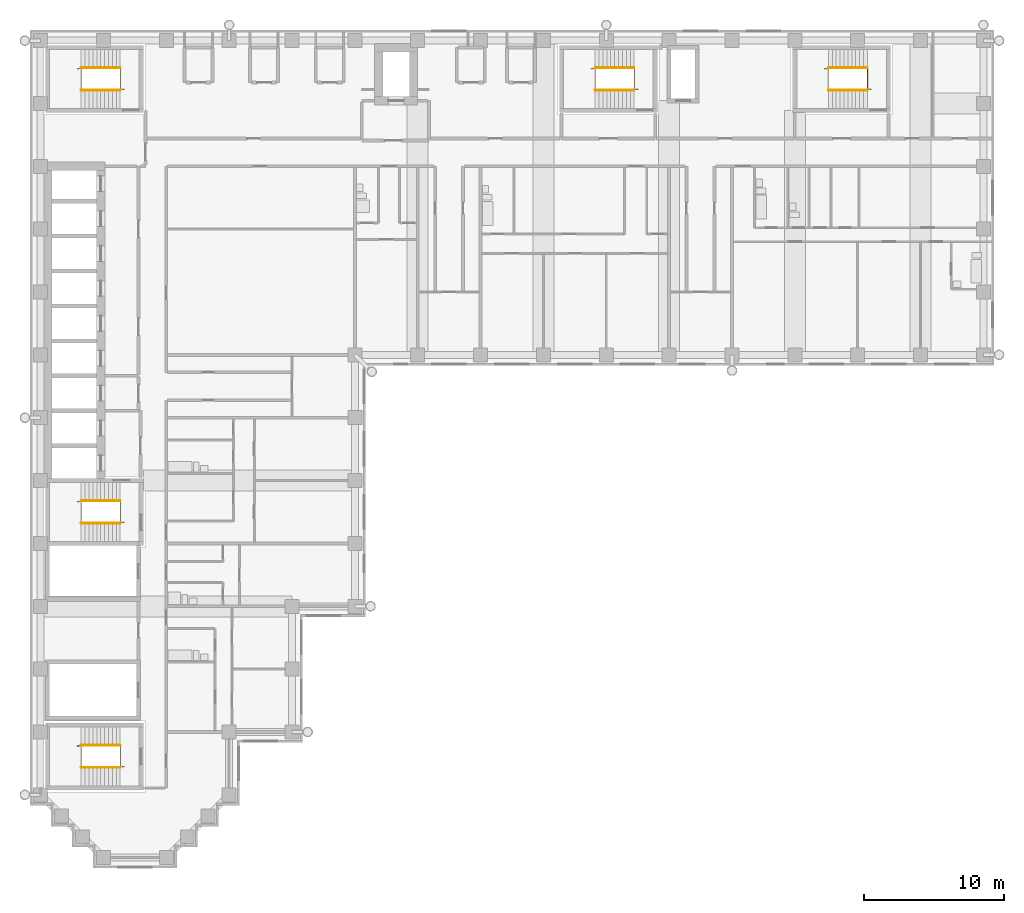
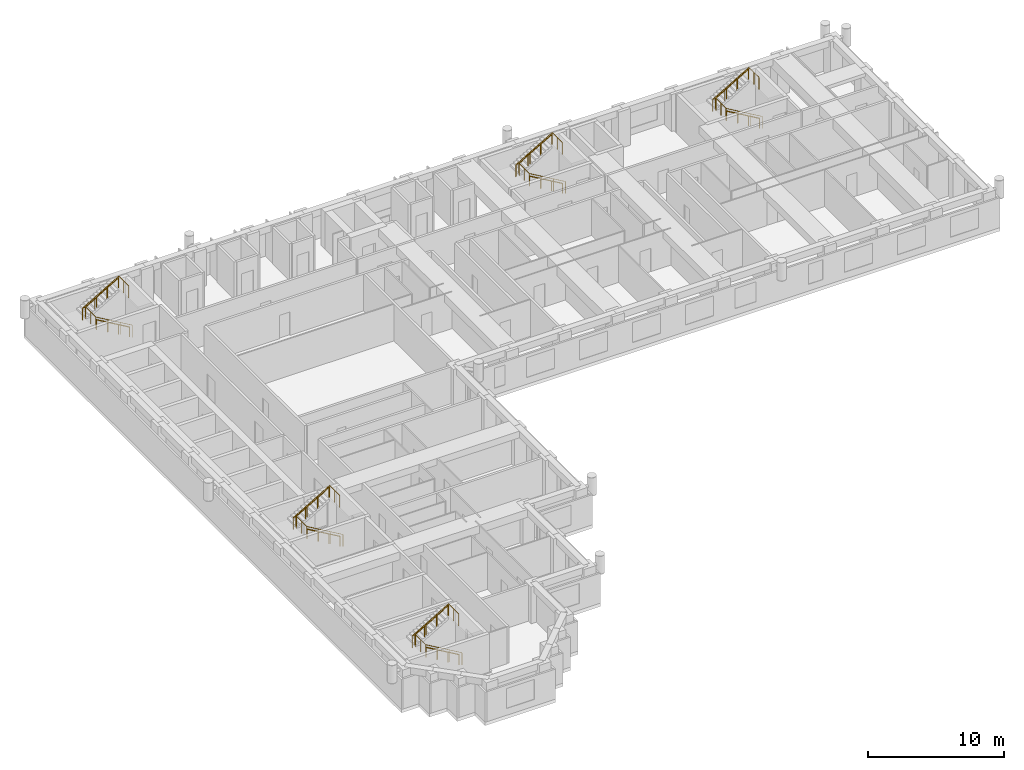
# One storey, part 14 of 15: 15 railings.
"""IFC4 building model written with IfcOpenShell, lengths in metres."""

from ifc_helpers import new_model, si_unit, direction, frame, origin, origin_2d, place, context, subcontext, project, spatial, circle, extrude, material, type_object, element, save


model = new_model("IFC4")

# Units and contexts
model_context = context("Model", 3, precision=1e-05, world=origin(), true_north=direction((0.0, 1.0)))
body_context = subcontext(model_context, "Body", "Model", "MODEL_VIEW")
ifc_project = project(units=[si_unit("LENGTHUNIT", "METRE"), si_unit("AREAUNIT", "SQUARE_METRE"), si_unit("VOLUMEUNIT", "CUBIC_METRE"), si_unit("PLANEANGLEUNIT", "RADIAN"), si_unit("MASSUNIT", "GRAM", prefix="KILO")], contexts=[model_context])

# Site, building, storey
site_placement = place(None, origin())
site = spatial("IfcSite", under=ifc_project, at=site_placement, CompositionType="ELEMENT")
building_placement = place(site_placement, origin())
building = spatial("IfcBuilding", under=site, at=building_placement, Name="Firuza Court", CompositionType="ELEMENT")
storey_placement = place(building_placement, frame((0.0, 0.0, 137.60009765625)))
storey = spatial("IfcBuildingStorey", under=building, at=storey_placement, Name="L34", CompositionType="ELEMENT", Elevation=137.60009765625)

# Railings
ifc_material_1 = material(Name="Steel S355", Category="steel")
railing_type_1 = type_object("IfcRailingType", Name="Handrail 900", PredefinedType="HANDRAIL", material=ifc_material_1)
railing_1_placement = place(storey_placement, frame((42.5, 54.949951171875, 0.16357421875)))
element("IfcRailing", 1, at=railing_1_placement, inside=storey, type_object=railing_type_1, Name="Handrail S1 flight 1", PredefinedType="HANDRAIL", context=body_context, shape_type="SweptSolid", body=[
    extrude(circle(Radius=0.02490234375, at=origin_2d()), frame((0.0, 0.0, 0.875), z_axis=(-0.863393664356, 0.0, 0.504530851732), x_axis=(0.0, -1.0, 0.0)), (0.0, 0.0, 1.0), 3.2431640625),
    extrude(circle(Radius=0.02001953125, at=origin_2d()), origin(), (0.0, 0.0, 1.0), 0.849853515625),
    extrude(circle(Radius=0.02001953125, at=origin_2d()), frame((-0.933349609375, 0.0, 0.54541015625)), (0.0, 0.0, 1.0), 0.849853515625),
    extrude(circle(Radius=0.02001953125, at=origin_2d()), frame((-1.86669921875, 0.0, 1.0908203125)), (0.0, 0.0, 1.0), 0.849853515625),
    extrude(circle(Radius=0.02001953125, at=origin_2d()), frame((-2.800048828125, 0.0, 1.63623046875)), (0.0, 0.0, 1.0), 0.849853515625),
])
railing_2_placement = place(storey_placement, frame((39.699951171875, 56.550048828125, 1.963623046875)))
element("IfcRailing", 2, at=railing_2_placement, inside=storey, type_object=railing_type_1, Name="Handrail S1 flight 2", PredefinedType="HANDRAIL", context=body_context, shape_type="SweptSolid", body=[
    extrude(circle(Radius=0.02490234375, at=origin_2d()), frame((0.0, 0.0, 0.875), z_axis=(0.863393664356, 0.0, 0.504530851732), x_axis=(0.0, 1.0, 0.0)), (0.0, 0.0, 1.0), 3.2431640625),
    extrude(circle(Radius=0.02001953125, at=origin_2d()), origin(), (0.0, 0.0, 1.0), 0.849853515625),
    extrude(circle(Radius=0.02001953125, at=origin_2d()), frame((0.933349609375, 0.0, 0.54541015625)), (0.0, 0.0, 1.0), 0.849853515625),
    extrude(circle(Radius=0.02001953125, at=origin_2d()), frame((1.86669921875, 0.0, 1.0908203125)), (0.0, 0.0, 1.0), 0.849853515625),
    extrude(circle(Radius=0.02001953125, at=origin_2d()), frame((2.800048828125, 0.0, 1.63623046875)), (0.0, 0.0, 1.0), 0.849853515625),
])
railing_3_placement = place(storey_placement, frame((5.699951171875, 23.949951171875, 0.16357421875)))
element("IfcRailing", 3, at=railing_3_placement, inside=storey, type_object=railing_type_1, Name="Handrail S2 flight 1", PredefinedType="HANDRAIL", context=body_context, shape_type="SweptSolid", body=[
    extrude(circle(Radius=0.02490234375, at=origin_2d()), frame((0.0, 0.0, 0.875), z_axis=(-0.863393664356, 0.0, 0.504530851732), x_axis=(0.0, -1.0, 0.0)), (0.0, 0.0, 1.0), 3.2431640625),
    extrude(circle(Radius=0.02001953125, at=origin_2d()), origin(), (0.0, 0.0, 1.0), 0.849853515625),
    extrude(circle(Radius=0.02001953125, at=origin_2d()), frame((-0.933349609375, 0.0, 0.54541015625)), (0.0, 0.0, 1.0), 0.849853515625),
    extrude(circle(Radius=0.02001953125, at=origin_2d()), frame((-1.86669921875, 0.0, 1.0908203125)), (0.0, 0.0, 1.0), 0.849853515625),
    extrude(circle(Radius=0.02001953125, at=origin_2d()), frame((-2.800048828125, 0.0, 1.63623046875)), (0.0, 0.0, 1.0), 0.849853515625),
])
railing_4_placement = place(storey_placement, frame((2.89990234375, 25.550048828125, 1.963623046875)))
element("IfcRailing", 4, at=railing_4_placement, inside=storey, type_object=railing_type_1, Name="Handrail S2 flight 2", PredefinedType="HANDRAIL", context=body_context, shape_type="SweptSolid", body=[
    extrude(circle(Radius=0.02490234375, at=origin_2d()), frame((0.0, 0.0, 0.875), z_axis=(0.863393664356, 0.0, 0.504530851732), x_axis=(0.0, 1.0, 0.0)), (0.0, 0.0, 1.0), 3.2431640625),
    extrude(circle(Radius=0.02001953125, at=origin_2d()), origin(), (0.0, 0.0, 1.0), 0.849853515625),
    extrude(circle(Radius=0.02001953125, at=origin_2d()), frame((0.933349609375, 0.0, 0.54541015625)), (0.0, 0.0, 1.0), 0.849853515625),
    extrude(circle(Radius=0.02001953125, at=origin_2d()), frame((1.86669921875, 0.0, 1.0908203125)), (0.0, 0.0, 1.0), 0.849853515625),
    extrude(circle(Radius=0.02001953125, at=origin_2d()), frame((2.800048828125, 0.0, 1.63623046875)), (0.0, 0.0, 1.0), 0.849853515625),
])
railing_5_placement = place(storey_placement, frame((5.699951171875, 54.949951171875, 0.16357421875)))
element("IfcRailing", 5, at=railing_5_placement, inside=storey, type_object=railing_type_1, Name="Handrail S3 flight 1", PredefinedType="HANDRAIL", context=body_context, shape_type="SweptSolid", body=[
    extrude(circle(Radius=0.02490234375, at=origin_2d()), frame((0.0, 0.0, 0.875), z_axis=(-0.863393664356, 0.0, 0.504530851732), x_axis=(0.0, -1.0, 0.0)), (0.0, 0.0, 1.0), 3.2431640625),
    extrude(circle(Radius=0.02001953125, at=origin_2d()), origin(), (0.0, 0.0, 1.0), 0.849853515625),
    extrude(circle(Radius=0.02001953125, at=origin_2d()), frame((-0.933349609375, 0.0, 0.54541015625)), (0.0, 0.0, 1.0), 0.849853515625),
    extrude(circle(Radius=0.02001953125, at=origin_2d()), frame((-1.86669921875, 0.0, 1.0908203125)), (0.0, 0.0, 1.0), 0.849853515625),
    extrude(circle(Radius=0.02001953125, at=origin_2d()), frame((-2.800048828125, 0.0, 1.63623046875)), (0.0, 0.0, 1.0), 0.849853515625),
])
railing_6_placement = place(storey_placement, frame((2.89990234375, 56.550048828125, 1.963623046875)))
element("IfcRailing", 6, at=railing_6_placement, inside=storey, type_object=railing_type_1, Name="Handrail S3 flight 2", PredefinedType="HANDRAIL", context=body_context, shape_type="SweptSolid", body=[
    extrude(circle(Radius=0.02490234375, at=origin_2d()), frame((0.0, 0.0, 0.875), z_axis=(0.863393664356, 0.0, 0.504530851732), x_axis=(0.0, 1.0, 0.0)), (0.0, 0.0, 1.0), 3.2431640625),
    extrude(circle(Radius=0.02001953125, at=origin_2d()), origin(), (0.0, 0.0, 1.0), 0.849853515625),
    extrude(circle(Radius=0.02001953125, at=origin_2d()), frame((0.933349609375, 0.0, 0.54541015625)), (0.0, 0.0, 1.0), 0.849853515625),
    extrude(circle(Radius=0.02001953125, at=origin_2d()), frame((1.86669921875, 0.0, 1.0908203125)), (0.0, 0.0, 1.0), 0.849853515625),
    extrude(circle(Radius=0.02001953125, at=origin_2d()), frame((2.800048828125, 0.0, 1.63623046875)), (0.0, 0.0, 1.0), 0.849853515625),
])
railing_7_placement = place(storey_placement, frame((59.199951171875, 54.949951171875, 0.16357421875)))
element("IfcRailing", 7, at=railing_7_placement, inside=storey, type_object=railing_type_1, Name="Handrail S4 flight 1", PredefinedType="HANDRAIL", context=body_context, shape_type="SweptSolid", body=[
    extrude(circle(Radius=0.02490234375, at=origin_2d()), frame((0.0, 0.0, 0.875), z_axis=(-0.863393664356, 0.0, 0.504530851732), x_axis=(0.0, -1.0, 0.0)), (0.0, 0.0, 1.0), 3.2431640625),
    extrude(circle(Radius=0.02001953125, at=origin_2d()), origin(), (0.0, 0.0, 1.0), 0.849853515625),
    extrude(circle(Radius=0.02001953125, at=origin_2d()), frame((-0.933349609375, 0.0, 0.54541015625)), (0.0, 0.0, 1.0), 0.849853515625),
    extrude(circle(Radius=0.02001953125, at=origin_2d()), frame((-1.86669921875, 0.0, 1.0908203125)), (0.0, 0.0, 1.0), 0.849853515625),
    extrude(circle(Radius=0.02001953125, at=origin_2d()), frame((-2.800048828125, 0.0, 1.63623046875)), (0.0, 0.0, 1.0), 0.849853515625),
])
railing_8_placement = place(storey_placement, frame((56.39990234375, 56.550048828125, 1.963623046875)))
element("IfcRailing", 8, at=railing_8_placement, inside=storey, type_object=railing_type_1, Name="Handrail S4 flight 2", PredefinedType="HANDRAIL", context=body_context, shape_type="SweptSolid", body=[
    extrude(circle(Radius=0.02490234375, at=origin_2d()), frame((0.0, 0.0, 0.875), z_axis=(0.863393664356, 0.0, 0.504530851732), x_axis=(0.0, 1.0, 0.0)), (0.0, 0.0, 1.0), 3.2431640625),
    extrude(circle(Radius=0.02001953125, at=origin_2d()), origin(), (0.0, 0.0, 1.0), 0.849853515625),
    extrude(circle(Radius=0.02001953125, at=origin_2d()), frame((0.933349609375, 0.0, 0.54541015625)), (0.0, 0.0, 1.0), 0.849853515625),
    extrude(circle(Radius=0.02001953125, at=origin_2d()), frame((1.86669921875, 0.0, 1.0908203125)), (0.0, 0.0, 1.0), 0.849853515625),
    extrude(circle(Radius=0.02001953125, at=origin_2d()), frame((2.800048828125, 0.0, 1.63623046875)), (0.0, 0.0, 1.0), 0.849853515625),
])
railing_9_placement = place(storey_placement, frame((5.699951171875, 6.449951171875, 0.16357421875)))
element("IfcRailing", 9, at=railing_9_placement, inside=storey, type_object=railing_type_1, Name="Handrail S5 flight 1", PredefinedType="HANDRAIL", context=body_context, shape_type="SweptSolid", body=[
    extrude(circle(Radius=0.02490234375, at=origin_2d()), frame((0.0, 0.0, 0.875), z_axis=(-0.863393664356, 0.0, 0.504530851732), x_axis=(0.0, -1.0, 0.0)), (0.0, 0.0, 1.0), 3.2431640625),
    extrude(circle(Radius=0.02001953125, at=origin_2d()), origin(), (0.0, 0.0, 1.0), 0.849853515625),
    extrude(circle(Radius=0.02001953125, at=origin_2d()), frame((-0.933349609375, 0.0, 0.54541015625)), (0.0, 0.0, 1.0), 0.849853515625),
    extrude(circle(Radius=0.02001953125, at=origin_2d()), frame((-1.86669921875, 0.0, 1.0908203125)), (0.0, 0.0, 1.0), 0.849853515625),
    extrude(circle(Radius=0.02001953125, at=origin_2d()), frame((-2.800048828125, 0.0, 1.63623046875)), (0.0, 0.0, 1.0), 0.849853515625),
])
railing_10_placement = place(storey_placement, frame((2.89990234375, 8.050048828125, 1.963623046875)))
element("IfcRailing", 10, at=railing_10_placement, inside=storey, type_object=railing_type_1, Name="Handrail S5 flight 2", PredefinedType="HANDRAIL", context=body_context, shape_type="SweptSolid", body=[
    extrude(circle(Radius=0.02490234375, at=origin_2d()), frame((0.0, 0.0, 0.875), z_axis=(0.863393664356, 0.0, 0.504530851732), x_axis=(0.0, 1.0, 0.0)), (0.0, 0.0, 1.0), 3.2431640625),
    extrude(circle(Radius=0.02001953125, at=origin_2d()), origin(), (0.0, 0.0, 1.0), 0.849853515625),
    extrude(circle(Radius=0.02001953125, at=origin_2d()), frame((0.933349609375, 0.0, 0.54541015625)), (0.0, 0.0, 1.0), 0.849853515625),
    extrude(circle(Radius=0.02001953125, at=origin_2d()), frame((1.86669921875, 0.0, 1.0908203125)), (0.0, 0.0, 1.0), 0.849853515625),
    extrude(circle(Radius=0.02001953125, at=origin_2d()), frame((2.800048828125, 0.0, 1.63623046875)), (0.0, 0.0, 1.0), 0.849853515625),
])
ifc_material_2 = material(Name="Steel S355", Category="steel")
railing_type_2 = type_object("IfcRailingType", Name="Stair guard 1100", PredefinedType="GUARDRAIL", material=ifc_material_2)
railing_11_placement = place(storey_placement, frame((42.780029296875, 55.010009765625, 0.0)))
element("IfcRailing", 11, at=railing_11_placement, inside=storey, type_object=railing_type_2, Name="Stair well guard S1", PredefinedType="GUARDRAIL", context=body_context, shape_type="SweptSolid", body=[
    extrude(circle(Radius=0.02490234375, at=origin_2d()), frame((0.0, 0.0, 1.0751953125), z_axis=(-0.863401368682, 0.0, 0.504517667242), x_axis=(0.0, -1.0, 0.0)), (0.0, 0.0, 1.0), 3.5673828125),
    extrude(circle(Radius=0.02490234375, at=origin_2d()), frame((-3.080078125, 0.0, 2.875), z_axis=(0.0, 1.0, 0.0), x_axis=(-1.0, 0.0, 0.0)), (0.0, 0.0, 1.0), 1.47998046875),
    extrude(circle(Radius=0.02490234375, at=origin_2d()), frame((-3.080078125, 1.47998046875, 2.875), z_axis=(-1.0, 0.0, 0.0), x_axis=(0.0, -1.0, 0.0)), (0.0, 0.0, 1.0), 0.280029296875),
    extrude(circle(Radius=0.02490234375, at=origin_2d()), frame((-3.360107421875, 1.47998046875, 2.875), z_axis=(0.863371556955, 0.0, 0.504568681787), x_axis=(0.0, 1.0, 0.0)), (0.0, 0.0, 1.0), 3.5673828125),
    extrude(circle(Radius=0.02490234375, at=origin_2d()), frame((-0.280029296875, 1.47998046875, 4.6748046875), z_axis=(0.0, -1.0, 0.0), x_axis=(1.0, 0.0, 0.0)), (0.0, 0.0, 1.0), 1.47998046875),
    extrude(circle(Radius=0.02490234375, at=origin_2d()), origin(), (0.0, 0.0, 1.0), 1.050048828125),
    extrude(circle(Radius=0.02490234375, at=origin_2d()), frame((-1.026611328125, 0.0, 0.599853515625)), (0.0, 0.0, 1.0), 1.050048828125),
    extrude(circle(Radius=0.02490234375, at=origin_2d()), frame((-2.053466796875, 0.0, 1.199951171875)), (0.0, 0.0, 1.0), 1.050048828125),
    extrude(circle(Radius=0.02490234375, at=origin_2d()), frame((-3.080078125, 0.0, 1.7998046875)), (0.0, 0.0, 1.0), 1.050048828125),
    extrude(circle(Radius=0.02490234375, at=origin_2d()), frame((-3.080078125, 0.739990234375, 1.7998046875)), (0.0, 0.0, 1.0), 1.050048828125),
    extrude(circle(Radius=0.02490234375, at=origin_2d()), frame((-3.080078125, 1.47998046875, 1.7998046875)), (0.0, 0.0, 1.0), 1.050048828125),
    extrude(circle(Radius=0.02490234375, at=origin_2d()), frame((-3.360107421875, 1.47998046875, 1.7998046875)), (0.0, 0.0, 1.0), 1.050048828125),
    extrude(circle(Radius=0.02490234375, at=origin_2d()), frame((-2.33349609375, 1.47998046875, 2.39990234375)), (0.0, 0.0, 1.0), 1.050048828125),
    extrude(circle(Radius=0.02490234375, at=origin_2d()), frame((-1.306640625, 1.47998046875, 2.999755859375)), (0.0, 0.0, 1.0), 1.050048828125),
    extrude(circle(Radius=0.02490234375, at=origin_2d()), frame((-0.280029296875, 1.47998046875, 3.599853515625)), (0.0, 0.0, 1.0), 1.050048828125),
    extrude(circle(Radius=0.02490234375, at=origin_2d()), frame((-0.280029296875, 0.739990234375, 3.599853515625)), (0.0, 0.0, 1.0), 1.050048828125),
    extrude(circle(Radius=0.02490234375, at=origin_2d()), frame((-0.280029296875, 0.0, 3.599853515625)), (0.0, 0.0, 1.0), 1.050048828125),
])
railing_12_placement = place(storey_placement, frame((5.97998046875, 24.010009765625, 0.0)))
element("IfcRailing", 12, at=railing_12_placement, inside=storey, type_object=railing_type_2, Name="Stair well guard S2", PredefinedType="GUARDRAIL", context=body_context, shape_type="SweptSolid", body=[
    extrude(circle(Radius=0.02490234375, at=origin_2d()), frame((0.0, 0.0, 1.0751953125), z_axis=(-0.863401368682, 0.0, 0.504517667242), x_axis=(0.0, -1.0, 0.0)), (0.0, 0.0, 1.0), 3.5673828125),
    extrude(circle(Radius=0.02490234375, at=origin_2d()), frame((-3.080078125, 0.0, 2.875), z_axis=(0.0, 1.0, 0.0), x_axis=(-1.0, 0.0, 0.0)), (0.0, 0.0, 1.0), 1.47998046875),
    extrude(circle(Radius=0.02490234375, at=origin_2d()), frame((-3.080078125, 1.47998046875, 2.875), z_axis=(-1.0, 0.0, 0.0), x_axis=(0.0, -1.0, 0.0)), (0.0, 0.0, 1.0), 0.27978515625),
    extrude(circle(Radius=0.02490234375, at=origin_2d()), frame((-3.35986328125, 1.47998046875, 2.875), z_axis=(0.863354132664, 0.0, 0.504598495452), x_axis=(0.0, 1.0, 0.0)), (0.0, 0.0, 1.0), 3.5673828125),
    extrude(circle(Radius=0.02490234375, at=origin_2d()), frame((-0.280029296875, 1.47998046875, 4.6748046875), z_axis=(0.0, -1.0, 0.0), x_axis=(1.0, 0.0, 0.0)), (0.0, 0.0, 1.0), 1.47998046875),
    extrude(circle(Radius=0.02490234375, at=origin_2d()), origin(), (0.0, 0.0, 1.0), 1.050048828125),
    extrude(circle(Radius=0.02490234375, at=origin_2d()), frame((-1.026611328125, 0.0, 0.599853515625)), (0.0, 0.0, 1.0), 1.050048828125),
    extrude(circle(Radius=0.02490234375, at=origin_2d()), frame((-2.053466796875, 0.0, 1.199951171875)), (0.0, 0.0, 1.0), 1.050048828125),
    extrude(circle(Radius=0.02490234375, at=origin_2d()), frame((-3.080078125, 0.0, 1.7998046875)), (0.0, 0.0, 1.0), 1.050048828125),
    extrude(circle(Radius=0.02490234375, at=origin_2d()), frame((-3.080078125, 0.739990234375, 1.7998046875)), (0.0, 0.0, 1.0), 1.050048828125),
    extrude(circle(Radius=0.02490234375, at=origin_2d()), frame((-3.080078125, 1.47998046875, 1.7998046875)), (0.0, 0.0, 1.0), 1.050048828125),
    extrude(circle(Radius=0.02490234375, at=origin_2d()), frame((-3.35986328125, 1.47998046875, 1.7998046875)), (0.0, 0.0, 1.0), 1.050048828125),
    extrude(circle(Radius=0.02490234375, at=origin_2d()), frame((-2.333251953125, 1.47998046875, 2.39990234375)), (0.0, 0.0, 1.0), 1.050048828125),
    extrude(circle(Radius=0.02490234375, at=origin_2d()), frame((-1.306640625, 1.47998046875, 2.999755859375)), (0.0, 0.0, 1.0), 1.050048828125),
    extrude(circle(Radius=0.02490234375, at=origin_2d()), frame((-0.280029296875, 1.47998046875, 3.599853515625)), (0.0, 0.0, 1.0), 1.050048828125),
    extrude(circle(Radius=0.02490234375, at=origin_2d()), frame((-0.280029296875, 0.739990234375, 3.599853515625)), (0.0, 0.0, 1.0), 1.050048828125),
    extrude(circle(Radius=0.02490234375, at=origin_2d()), frame((-0.280029296875, 0.0, 3.599853515625)), (0.0, 0.0, 1.0), 1.050048828125),
])
railing_13_placement = place(storey_placement, frame((5.97998046875, 55.010009765625, 0.0)))
element("IfcRailing", 13, at=railing_13_placement, inside=storey, type_object=railing_type_2, Name="Stair well guard S3", PredefinedType="GUARDRAIL", context=body_context, shape_type="SweptSolid", body=[
    extrude(circle(Radius=0.02490234375, at=origin_2d()), frame((0.0, 0.0, 1.0751953125), z_axis=(-0.863401368682, 0.0, 0.504517667242), x_axis=(0.0, -1.0, 0.0)), (0.0, 0.0, 1.0), 3.5673828125),
    extrude(circle(Radius=0.02490234375, at=origin_2d()), frame((-3.080078125, 0.0, 2.875), z_axis=(0.0, 1.0, 0.0), x_axis=(-1.0, 0.0, 0.0)), (0.0, 0.0, 1.0), 1.47998046875),
    extrude(circle(Radius=0.02490234375, at=origin_2d()), frame((-3.080078125, 1.47998046875, 2.875), z_axis=(-1.0, 0.0, 0.0), x_axis=(0.0, -1.0, 0.0)), (0.0, 0.0, 1.0), 0.27978515625),
    extrude(circle(Radius=0.02490234375, at=origin_2d()), frame((-3.35986328125, 1.47998046875, 2.875), z_axis=(0.863354132664, 0.0, 0.504598495452), x_axis=(0.0, 1.0, 0.0)), (0.0, 0.0, 1.0), 3.5673828125),
    extrude(circle(Radius=0.02490234375, at=origin_2d()), frame((-0.280029296875, 1.47998046875, 4.6748046875), z_axis=(0.0, -1.0, 0.0), x_axis=(1.0, 0.0, 0.0)), (0.0, 0.0, 1.0), 1.47998046875),
    extrude(circle(Radius=0.02490234375, at=origin_2d()), origin(), (0.0, 0.0, 1.0), 1.050048828125),
    extrude(circle(Radius=0.02490234375, at=origin_2d()), frame((-1.026611328125, 0.0, 0.599853515625)), (0.0, 0.0, 1.0), 1.050048828125),
    extrude(circle(Radius=0.02490234375, at=origin_2d()), frame((-2.053466796875, 0.0, 1.199951171875)), (0.0, 0.0, 1.0), 1.050048828125),
    extrude(circle(Radius=0.02490234375, at=origin_2d()), frame((-3.080078125, 0.0, 1.7998046875)), (0.0, 0.0, 1.0), 1.050048828125),
    extrude(circle(Radius=0.02490234375, at=origin_2d()), frame((-3.080078125, 0.739990234375, 1.7998046875)), (0.0, 0.0, 1.0), 1.050048828125),
    extrude(circle(Radius=0.02490234375, at=origin_2d()), frame((-3.080078125, 1.47998046875, 1.7998046875)), (0.0, 0.0, 1.0), 1.050048828125),
    extrude(circle(Radius=0.02490234375, at=origin_2d()), frame((-3.35986328125, 1.47998046875, 1.7998046875)), (0.0, 0.0, 1.0), 1.050048828125),
    extrude(circle(Radius=0.02490234375, at=origin_2d()), frame((-2.333251953125, 1.47998046875, 2.39990234375)), (0.0, 0.0, 1.0), 1.050048828125),
    extrude(circle(Radius=0.02490234375, at=origin_2d()), frame((-1.306640625, 1.47998046875, 2.999755859375)), (0.0, 0.0, 1.0), 1.050048828125),
    extrude(circle(Radius=0.02490234375, at=origin_2d()), frame((-0.280029296875, 1.47998046875, 3.599853515625)), (0.0, 0.0, 1.0), 1.050048828125),
    extrude(circle(Radius=0.02490234375, at=origin_2d()), frame((-0.280029296875, 0.739990234375, 3.599853515625)), (0.0, 0.0, 1.0), 1.050048828125),
    extrude(circle(Radius=0.02490234375, at=origin_2d()), frame((-0.280029296875, 0.0, 3.599853515625)), (0.0, 0.0, 1.0), 1.050048828125),
])
railing_14_placement = place(storey_placement, frame((59.47998046875, 55.010009765625, 0.0)))
element("IfcRailing", 14, at=railing_14_placement, inside=storey, type_object=railing_type_2, Name="Stair well guard S4", PredefinedType="GUARDRAIL", context=body_context, shape_type="SweptSolid", body=[
    extrude(circle(Radius=0.02490234375, at=origin_2d()), frame((0.0, 0.0, 1.0751953125), z_axis=(-0.863401368682, 0.0, 0.504517667242), x_axis=(0.0, -1.0, 0.0)), (0.0, 0.0, 1.0), 3.5673828125),
    extrude(circle(Radius=0.02490234375, at=origin_2d()), frame((-3.080078125, 0.0, 2.875), z_axis=(0.0, 1.0, 0.0), x_axis=(-1.0, 0.0, 0.0)), (0.0, 0.0, 1.0), 1.47998046875),
    extrude(circle(Radius=0.02490234375, at=origin_2d()), frame((-3.080078125, 1.47998046875, 2.875), z_axis=(-1.0, 0.0, 0.0), x_axis=(0.0, -1.0, 0.0)), (0.0, 0.0, 1.0), 0.27978515625),
    extrude(circle(Radius=0.02490234375, at=origin_2d()), frame((-3.35986328125, 1.47998046875, 2.875), z_axis=(0.863354132664, 0.0, 0.504598495452), x_axis=(0.0, 1.0, 0.0)), (0.0, 0.0, 1.0), 3.5673828125),
    extrude(circle(Radius=0.02490234375, at=origin_2d()), frame((-0.280029296875, 1.47998046875, 4.6748046875), z_axis=(0.0, -1.0, 0.0), x_axis=(1.0, 0.0, 0.0)), (0.0, 0.0, 1.0), 1.47998046875),
    extrude(circle(Radius=0.02490234375, at=origin_2d()), origin(), (0.0, 0.0, 1.0), 1.050048828125),
    extrude(circle(Radius=0.02490234375, at=origin_2d()), frame((-1.026611328125, 0.0, 0.599853515625)), (0.0, 0.0, 1.0), 1.050048828125),
    extrude(circle(Radius=0.02490234375, at=origin_2d()), frame((-2.053466796875, 0.0, 1.199951171875)), (0.0, 0.0, 1.0), 1.050048828125),
    extrude(circle(Radius=0.02490234375, at=origin_2d()), frame((-3.080078125, 0.0, 1.7998046875)), (0.0, 0.0, 1.0), 1.050048828125),
    extrude(circle(Radius=0.02490234375, at=origin_2d()), frame((-3.080078125, 0.739990234375, 1.7998046875)), (0.0, 0.0, 1.0), 1.050048828125),
    extrude(circle(Radius=0.02490234375, at=origin_2d()), frame((-3.080078125, 1.47998046875, 1.7998046875)), (0.0, 0.0, 1.0), 1.050048828125),
    extrude(circle(Radius=0.02490234375, at=origin_2d()), frame((-3.35986328125, 1.47998046875, 1.7998046875)), (0.0, 0.0, 1.0), 1.050048828125),
    extrude(circle(Radius=0.02490234375, at=origin_2d()), frame((-2.333251953125, 1.47998046875, 2.39990234375)), (0.0, 0.0, 1.0), 1.050048828125),
    extrude(circle(Radius=0.02490234375, at=origin_2d()), frame((-1.306640625, 1.47998046875, 2.999755859375)), (0.0, 0.0, 1.0), 1.050048828125),
    extrude(circle(Radius=0.02490234375, at=origin_2d()), frame((-0.280029296875, 1.47998046875, 3.599853515625)), (0.0, 0.0, 1.0), 1.050048828125),
    extrude(circle(Radius=0.02490234375, at=origin_2d()), frame((-0.280029296875, 0.739990234375, 3.599853515625)), (0.0, 0.0, 1.0), 1.050048828125),
    extrude(circle(Radius=0.02490234375, at=origin_2d()), frame((-0.280029296875, 0.0, 3.599853515625)), (0.0, 0.0, 1.0), 1.050048828125),
])
railing_15_placement = place(storey_placement, frame((5.97998046875, 6.510009765625, 0.0)))
element("IfcRailing", 15, at=railing_15_placement, inside=storey, type_object=railing_type_2, Name="Stair well guard S5", PredefinedType="GUARDRAIL", context=body_context, shape_type="SweptSolid", body=[
    extrude(circle(Radius=0.02490234375, at=origin_2d()), frame((0.0, 0.0, 1.0751953125), z_axis=(-0.863401368682, 0.0, 0.504517667242), x_axis=(0.0, -1.0, 0.0)), (0.0, 0.0, 1.0), 3.5673828125),
    extrude(circle(Radius=0.02490234375, at=origin_2d()), frame((-3.080078125, 0.0, 2.875), z_axis=(0.0, 1.0, 0.0), x_axis=(-1.0, 0.0, 0.0)), (0.0, 0.0, 1.0), 1.47998046875),
    extrude(circle(Radius=0.02490234375, at=origin_2d()), frame((-3.080078125, 1.47998046875, 2.875), z_axis=(-1.0, 0.0, 0.0), x_axis=(0.0, -1.0, 0.0)), (0.0, 0.0, 1.0), 0.27978515625),
    extrude(circle(Radius=0.02490234375, at=origin_2d()), frame((-3.35986328125, 1.47998046875, 2.875), z_axis=(0.863354132664, 0.0, 0.504598495452), x_axis=(0.0, 1.0, 0.0)), (0.0, 0.0, 1.0), 3.5673828125),
    extrude(circle(Radius=0.02490234375, at=origin_2d()), frame((-0.280029296875, 1.47998046875, 4.6748046875), z_axis=(0.0, -1.0, 0.0), x_axis=(1.0, 0.0, 0.0)), (0.0, 0.0, 1.0), 1.47998046875),
    extrude(circle(Radius=0.02490234375, at=origin_2d()), origin(), (0.0, 0.0, 1.0), 1.050048828125),
    extrude(circle(Radius=0.02490234375, at=origin_2d()), frame((-1.026611328125, 0.0, 0.599853515625)), (0.0, 0.0, 1.0), 1.050048828125),
    extrude(circle(Radius=0.02490234375, at=origin_2d()), frame((-2.053466796875, 0.0, 1.199951171875)), (0.0, 0.0, 1.0), 1.050048828125),
    extrude(circle(Radius=0.02490234375, at=origin_2d()), frame((-3.080078125, 0.0, 1.7998046875)), (0.0, 0.0, 1.0), 1.050048828125),
    extrude(circle(Radius=0.02490234375, at=origin_2d()), frame((-3.080078125, 0.739990234375, 1.7998046875)), (0.0, 0.0, 1.0), 1.050048828125),
    extrude(circle(Radius=0.02490234375, at=origin_2d()), frame((-3.080078125, 1.47998046875, 1.7998046875)), (0.0, 0.0, 1.0), 1.050048828125),
    extrude(circle(Radius=0.02490234375, at=origin_2d()), frame((-3.35986328125, 1.47998046875, 1.7998046875)), (0.0, 0.0, 1.0), 1.050048828125),
    extrude(circle(Radius=0.02490234375, at=origin_2d()), frame((-2.333251953125, 1.47998046875, 2.39990234375)), (0.0, 0.0, 1.0), 1.050048828125),
    extrude(circle(Radius=0.02490234375, at=origin_2d()), frame((-1.306640625, 1.47998046875, 2.999755859375)), (0.0, 0.0, 1.0), 1.050048828125),
    extrude(circle(Radius=0.02490234375, at=origin_2d()), frame((-0.280029296875, 1.47998046875, 3.599853515625)), (0.0, 0.0, 1.0), 1.050048828125),
    extrude(circle(Radius=0.02490234375, at=origin_2d()), frame((-0.280029296875, 0.739990234375, 3.599853515625)), (0.0, 0.0, 1.0), 1.050048828125),
    extrude(circle(Radius=0.02490234375, at=origin_2d()), frame((-0.280029296875, 0.0, 3.599853515625)), (0.0, 0.0, 1.0), 1.050048828125),
])

save(model, "model.ifc")
